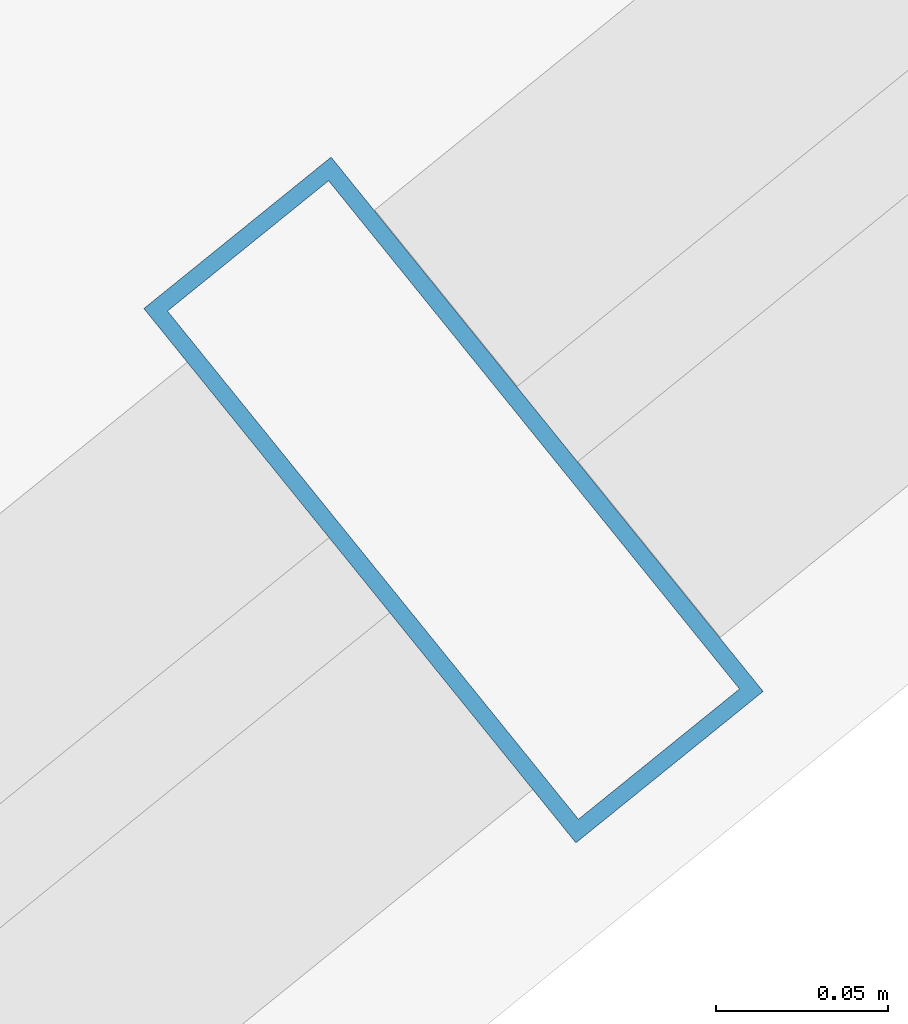
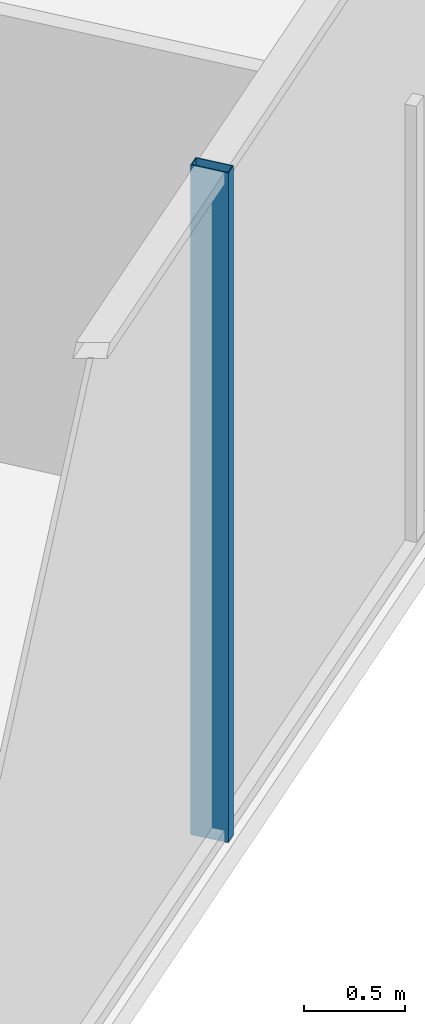
# One storey, part 14 of 36: 1 member, 1 element without a shape of its own.
"""IFC4 building model written with IfcOpenShell, lengths in metres."""

import ifcopenshell
import ifcopenshell.guid

model = None  # the IFC model being written
_history = None  # IfcOwnerHistory: only IFC2X3 demands one
_inside = {}  # id of a spatial element -> (the spatial element, [elements in it])
_under = {}  # id of a project, library or spatial element -> (it, [spatial elements below it])
_declared = {}  # id of a project -> (the project, [libraries it declares])
_typed = {}  # id of a type object -> (the type object, [elements of that type])
_made_of = {}  # id of a material, layer set ... -> (it, [elements and type objects made of it])


def new_model(schema):
    """Start an empty IFC model of exactly this schema.

    Asked for "IFC4X3", IfcOpenShell would pick the latest addendum, in which some entities
    have other attributes; the version numbers below select the first issue.
    IFC2X3 requires an IfcOwnerHistory on every rooted entity: one is made here for all.
    """
    global model, _history
    if schema == "IFC4X3":
        model = ifcopenshell.file(schema_version=(4, 3, 0, 0))
    else:
        model = ifcopenshell.file(schema=schema)
    _inside.clear()
    _under.clear()
    _declared.clear()
    _typed.clear()
    _made_of.clear()
    _history = None
    if model.schema == "IFC2X3":
        org = make("IfcOrganization", Name="unknown")
        user = make(
            "IfcPersonAndOrganization",
            ThePerson=make("IfcPerson", FamilyName="unknown"),
            TheOrganization=org,
        )
        app = make(
            "IfcApplication",
            ApplicationDeveloper=org,
            Version="unknown",
            ApplicationFullName="unknown",
            ApplicationIdentifier="unknown",
        )
        _history = make(
            "IfcOwnerHistory",
            OwningUser=user,
            OwningApplication=app,
            ChangeAction="ADDED",
            CreationDate=0,
        )
    return model


def make(cls, **values):
    """One entity of the class cls with the attributes given. An attribute that is None is left unset."""
    return model.create_entity(
        cls, **{name: value for name, value in values.items() if value is not None}
    )


def rooted(cls, **values):
    """An entity with a GlobalId (a new one), such as an element, a storey or a relation."""
    return make(cls, GlobalId=ifcopenshell.guid.new(), OwnerHistory=_history, **values)


def si_unit(unit_type, name, prefix=None):
    """IfcSIUnit, for example si_unit("LENGTHUNIT", "METRE", prefix="MILLI")."""
    return make("IfcSIUnit", UnitType=unit_type, Prefix=prefix, Name=name)


def assignment(units):
    """IfcUnitAssignment: the units of a project."""
    return None if units is None else make("IfcUnitAssignment", Units=units)


def point(xyz):
    """IfcCartesianPoint."""
    return None if xyz is None else make("IfcCartesianPoint", Coordinates=xyz)


def direction(xyz):
    """IfcDirection."""
    return None if xyz is None else make("IfcDirection", DirectionRatios=xyz)


def frame(location, z_axis=None, x_axis=None):
    """IfcAxis2Placement3D, a coordinate frame: its origin and axes. An axis left out is left unset."""
    return make(
        "IfcAxis2Placement3D",
        Location=point(location),
        Axis=direction(z_axis),
        RefDirection=direction(x_axis),
    )


def frame_2d(location, x_axis=None):
    """IfcAxis2Placement2D, a coordinate frame in the plane: its origin and x axis."""
    return make(
        "IfcAxis2Placement2D", Location=point(location), RefDirection=direction(x_axis)
    )


def origin():
    """The frame at (0, 0, 0) with its axes left unset."""
    return frame((0.0, 0.0, 0.0))


def origin_2d():
    """The frame at (0, 0) in the plane with its x axis left unset."""
    return frame_2d((0.0, 0.0))


def place(relative_to, where):
    """IfcLocalPlacement: puts the frame where relative to a parent placement (None: the world)."""
    return make(
        "IfcLocalPlacement", PlacementRelTo=relative_to, RelativePlacement=where
    )


def context(
    kind, dimensions, precision=None, world=None, true_north=None, identifier=None
):
    """IfcGeometricRepresentationContext, for example the 3D "Model" context."""
    return make(
        "IfcGeometricRepresentationContext",
        ContextIdentifier=identifier,
        ContextType=kind,
        CoordinateSpaceDimension=dimensions,
        Precision=precision,
        WorldCoordinateSystem=world,
        TrueNorth=true_north,
    )


def subcontext(parent, identifier, kind, view, scale=None):
    """IfcGeometricRepresentationSubContext, for example "Body" below "Model"."""
    return make(
        "IfcGeometricRepresentationSubContext",
        ContextIdentifier=identifier,
        ContextType=kind,
        ParentContext=parent,
        TargetScale=scale,
        TargetView=view,
    )


def project(units=None, contexts=None):
    """IfcProject with its units and contexts."""
    return rooted(
        "IfcProject",
        Name="project",
        RepresentationContexts=contexts,
        UnitsInContext=assignment(units),
    )


def spatial(cls, under=None, at=None, **own):
    """A site, building, storey or space (cls), placed at a placement, below another one or the project."""
    s = rooted(cls, ObjectPlacement=at, **own)
    if under is not None:
        _under.setdefault(under.id(), (under, []))[1].append(s)
    return s


def profile(cls, at=None, kind="AREA", **sizes):
    """A parametric profile (cls). Its sizes go by their IFC names, for example OverallWidth=200.0."""
    return make(cls, ProfileType=kind, Position=at, **sizes)


def hollow_rectangle(**sizes):
    """IfcRectangleHollowProfileDef."""
    return profile("IfcRectangleHollowProfileDef", **sizes)


def extrude(swept, where, along, depth):
    """IfcExtrudedAreaSolid: the profile swept, set in the frame where, extruded along a direction by depth."""
    return make(
        "IfcExtrudedAreaSolid",
        SweptArea=swept,
        Position=where,
        ExtrudedDirection=direction(along),
        Depth=depth,
    )


def shape(context_of_items, identifier, shape_type, items):
    """IfcShapeRepresentation: the items that make up one representation, for example the "Body"."""
    return make(
        "IfcShapeRepresentation",
        ContextOfItems=context_of_items,
        RepresentationIdentifier=identifier,
        RepresentationType=shape_type,
        Items=items,
    )


def material(Name=None, Category=None):
    """IfcMaterial."""
    return make("IfcMaterial", Name=Name, Category=Category)


def layer(
    of_material, thickness, ventilated=None, Name=None, Category=None, Priority=None
):
    """IfcMaterialLayer: one layer of a wall or slab, of a material (None: an air gap)."""
    return make(
        "IfcMaterialLayer",
        Material=of_material,
        LayerThickness=thickness,
        IsVentilated=ventilated,
        Name=Name,
        Category=Category,
        Priority=Priority,
    )


def layer_set(layers, Name=None):
    """IfcMaterialLayerSet."""
    return make("IfcMaterialLayerSet", MaterialLayers=layers, LayerSetName=Name)


def material_profile(
    of_material, cross_section, Name=None, Category=None, Priority=None
):
    """IfcMaterialProfile: a cross section and its material."""
    return make(
        "IfcMaterialProfile",
        Name=Name,
        Material=of_material,
        Profile=cross_section,
        Priority=Priority,
        Category=Category,
    )


def profile_set(profiles, Name=None, composite=None):
    """IfcMaterialProfileSet."""
    return make(
        "IfcMaterialProfileSet",
        Name=Name,
        MaterialProfiles=profiles,
        CompositeProfile=composite,
    )


def made_of(thing, what):
    """Note that an element or type object is made of a material, layer set ...; save() writes the relation."""
    if what is not None:
        _made_of.setdefault(what.id(), (what, []))[1].append(thing)
    return thing


def type_object(cls, material=None, **own):
    """A type object (cls), such as IfcWallType, which elements share."""
    return made_of(rooted(cls, **own), material)


def element(
    cls,
    number,
    at=None,
    inside=None,
    cuts=None,
    type_object=None,
    material=None,
    context=None,
    identifier="Body",
    shape_type=None,
    held_by="IfcProductDefinitionShape",
    body=None,
    shapes=None,
    **own,
):
    """One element of the class cls, such as IfcWall. Its Tag is "e" and its number.

    at: its placement. inside: the storey or other place that contains it. cuts: it is an
    opening in that element (IfcRelVoidsElement). A single representation is given by context,
    identifier, shape_type and body (its items); several are given by shapes. held_by: the class
    of the entity that holds the representations. save() writes the other relations.
    """
    e = rooted(cls, Tag="e%d" % number, ObjectPlacement=at, **own)
    if body is not None:
        shapes = [shape(context, identifier, shape_type, body)]
    if shapes is not None:
        e.Representation = make(held_by, Representations=shapes)
    if inside is not None:
        _inside.setdefault(inside.id(), (inside, []))[1].append(e)
    if cuts is not None:
        rooted(
            "IfcRelVoidsElement", RelatingBuildingElement=cuts, RelatedOpeningElement=e
        )
    if type_object is not None:
        _typed.setdefault(type_object.id(), (type_object, []))[1].append(e)
    return made_of(e, material)


def aggregate(whole, parts):
    """IfcRelAggregates: a whole, such as a stair, and the parts it consists of."""
    return rooted("IfcRelAggregates", RelatingObject=whole, RelatedObjects=parts)


def save(model, path):
    """Write the relations noted so far, then the file.

    IfcRelAggregates (storeys below a building ...), IfcRelContainedInSpatialStructure (elements
    in a storey), IfcRelDefinesByType, IfcRelAssociatesMaterial and IfcRelDeclares: one each for
    every whole, place, type object, material and project.
    """
    for whole, parts in _under.values():
        aggregate(whole, parts)
    for where, things in _inside.values():
        rooted(
            "IfcRelContainedInSpatialStructure",
            RelatedElements=things,
            RelatingStructure=where,
        )
    for kind, things in _typed.values():
        rooted("IfcRelDefinesByType", RelatedObjects=things, RelatingType=kind)
    for what, things in _made_of.values():
        rooted("IfcRelAssociatesMaterial", RelatedObjects=things, RelatingMaterial=what)
    for by, libraries in _declared.values():
        rooted("IfcRelDeclares", RelatingContext=by, RelatedDefinitions=libraries)
    model.write(path)


model = new_model("IFC4")

# Units and contexts
model_context = context("Model", 3, precision=1e-05, world=origin(), true_north=direction((0.0, 1.0)))
body_context = subcontext(model_context, "Body", "Model", "MODEL_VIEW")
ifc_project = project(units=[si_unit("LENGTHUNIT", "METRE"), si_unit("AREAUNIT", "SQUARE_METRE"), si_unit("VOLUMEUNIT", "CUBIC_METRE"), si_unit("PLANEANGLEUNIT", "RADIAN"), si_unit("MASSUNIT", "GRAM", prefix="KILO")], contexts=[model_context])

# Site, building, storey
site_placement = place(None, origin())
site = spatial("IfcSite", under=ifc_project, at=site_placement, CompositionType="ELEMENT")
building_placement = place(site_placement, origin())
building = spatial("IfcBuilding", under=site, at=building_placement, Name="Tarsis Ring Headquarters", CompositionType="ELEMENT")
storey_placement = place(building_placement, frame((0.0, 0.0, 386.0)))
storey = spatial("IfcBuildingStorey", under=building, at=storey_placement, Name="L91", CompositionType="ELEMENT", Elevation=386.0)

# Curtain wall, member
ifc_material_1 = material(Name="Aluminium curtain wall", Category="aluminium")
ifc_layer = layer(ifc_material_1, 0.199951171875)
ifc_layer_set = layer_set([ifc_layer], Name="Curtain wall executive tip")
curtain_wall_type = type_object("IfcCurtainWallType", Name="Curtain wall executive tip", PredefinedType="NOTDEFINED", material=ifc_layer_set)
curtain_wall_placement = place(storey_placement, origin())
curtain_wall = element("IfcCurtainWall", 1, at=curtain_wall_placement, inside=storey, type_object=curtain_wall_type, Name="Curtain wall L91-11", PredefinedType="NOTDEFINED")
ifc_material_2 = material(Name="Aluminium mullion", Category="aluminium")
ifc_material_profile = material_profile(ifc_material_2, hollow_rectangle(XDim=0.199951171875, YDim=0.070068359375, WallThickness=0.0048828125, at=origin_2d()), Name="RHS 200x70x5")
ifc_profile_set = profile_set([ifc_material_profile], Name="Aluminium mullion")
member_type = type_object("IfcMemberType", Name="Curtain wall mullion executive tip RHS 200x70x5", PredefinedType="MULLION", material=ifc_profile_set)
member_placement = place(storey_placement, frame((20.042236328125, -24.78564453125, 0.0), z_axis=(0.0, 0.0, 1.0), x_axis=(-0.628777693024, 0.777585116084, 0.0)))
member = element("IfcMember", 2, at=member_placement, type_object=member_type, Name="CW-E mullion 3", PredefinedType="MULLION", context=body_context, shape_type="SweptSolid", body=[
    extrude(hollow_rectangle(XDim=0.199951171875, YDim=0.070068359375, WallThickness=0.0048828125, at=origin_2d()), origin(), (0.0, 0.0, 1.0), 4.0400390625),
])
aggregate(curtain_wall, [member])

save(model, "model.ifc")
